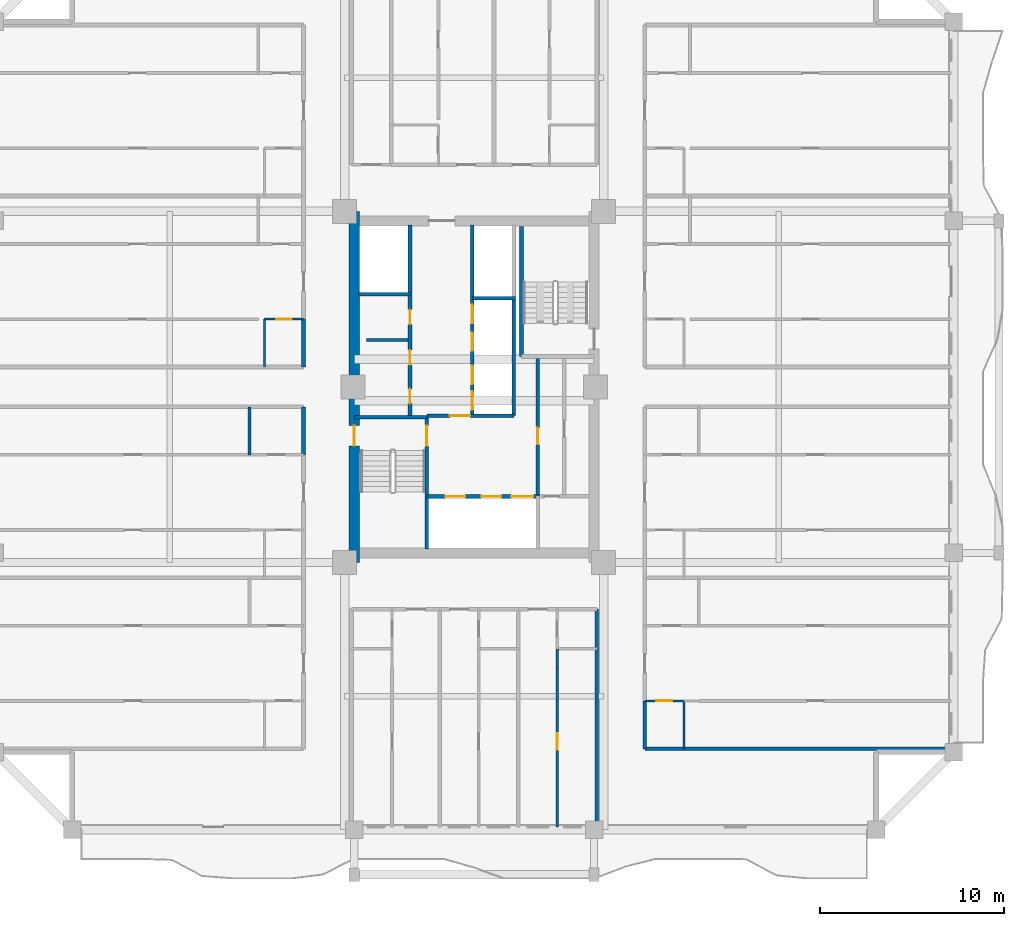
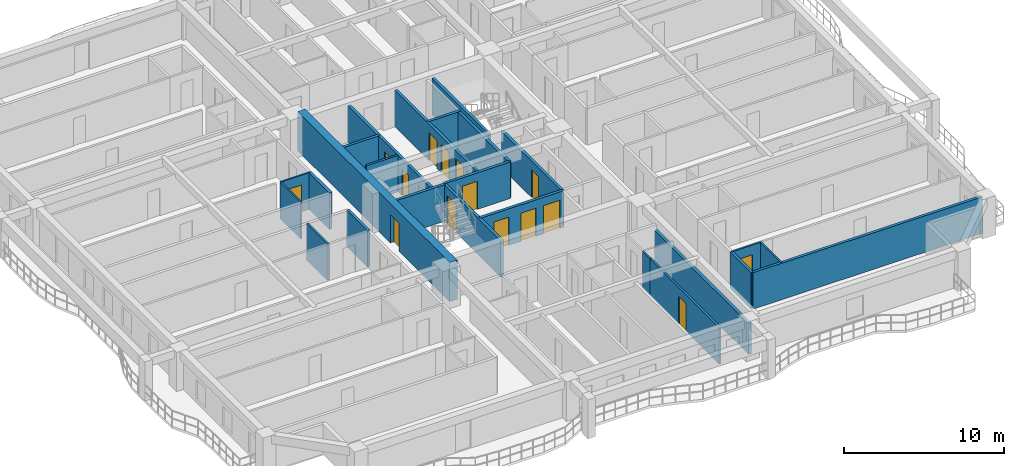
# One storey, part 4 of 13: 25 walls, 17 doors, 17 openings.
"""IFC4 building model written with IfcOpenShell, lengths in metres."""

from ifc_helpers import new_model, si_unit, direction, frame, frame_2d, origin, place, context, subcontext, project, spatial, rectangle, extrude, source, transform, mapped, material, layer, layer_set, type_object, element, fill, save


model = new_model("IFC4")

# Units and contexts
model_context = context("Model", 3, precision=1e-05, world=origin(), true_north=direction((0.0, 1.0)))
body_context = subcontext(model_context, "Body", "Model", "MODEL_VIEW")
ifc_project = project(units=[si_unit("LENGTHUNIT", "METRE"), si_unit("AREAUNIT", "SQUARE_METRE"), si_unit("VOLUMEUNIT", "CUBIC_METRE"), si_unit("PLANEANGLEUNIT", "RADIAN"), si_unit("MASSUNIT", "GRAM", prefix="KILO")], contexts=[model_context])

# Site, building, storey
site_placement = place(None, origin())
site = spatial("IfcSite", under=ifc_project, at=site_placement, CompositionType="ELEMENT")
building_placement = place(site_placement, origin())
building = spatial("IfcBuilding", under=site, at=building_placement, Name="Saelheon Loggia Tower", CompositionType="ELEMENT")
storey_placement = place(building_placement, frame((0.0, 0.0, 104.85009765625)))
storey = spatial("IfcBuildingStorey", under=building, at=storey_placement, Name="L33", CompositionType="ELEMENT", Elevation=104.85009765625)

# Wall, opening, door
ifc_material_1 = material(Name="Concrete C50/60", Category="concrete")
ifc_layer_1 = layer(ifc_material_1, 0.550048828125)
ifc_layer_set_1 = layer_set([ifc_layer_1], Name="Concrete C50/60")
wall_type_1 = type_object("IfcWallType", Name="Wall_CoreShear_550", PredefinedType="SHEAR", material=ifc_layer_set_1)
wall_1_placement = place(storey_placement, frame((31.5, 17.47998046875, 0.0), z_axis=(0.0, 0.0, 1.0), x_axis=(0.0, 1.0, 0.0)))
wall_1 = element("IfcWall", 1, at=wall_1_placement, inside=storey, type_object=wall_type_1, Name="L33 Core Shear Wall West", PredefinedType="SHEAR", context=body_context, shape_type="SweptSolid", body=[
    extrude(rectangle(XDim=19.0400390625, YDim=0.550048828125, at=frame_2d((9.52001953125, 0.0))), origin(), (0.0, 0.0, 1.0), 3.0),
])
opening_1_placement = place(wall_1_placement, frame((6.320068359375, 0.0, 0.0)))
opening_1 = element("IfcOpeningElement", 2, at=opening_1_placement, cuts=wall_1, Name="Opening D-FD2", PredefinedType="OPENING", context=body_context, shape_type="SweptSolid", body=[
    extrude(rectangle(XDim=1.10009765625, YDim=2.14990234375, at=frame_2d((0.550048828125, 1.074951171875))), frame((0.0, 0.287109375, 0.0), z_axis=(0.0, -1.0, 0.0), x_axis=(1.0, 0.0, 0.0)), (0.0, 0.0, 1.0), 0.573974609375),
])
ifc_material_2 = material(Name="Galvanised Steel Fire Door", Category="steel")
door_type_1 = type_object("IfcDoorType", Name="Door_Fire_FD60_1100", OperationType="NOTDEFINED", PredefinedType="DOOR", material=ifc_material_2)
shared_shape_1 = source(origin(), body_context, "Body", "SweptSolid", [
    extrude(rectangle(XDim=1.10009765625, YDim=2.14990234375, at=frame_2d((0.550048828125, 1.074951171875))), frame((0.0, 0.02490234375, 0.0), z_axis=(0.0, -1.0, 0.0), x_axis=(1.0, 0.0, 0.0)), (0.0, 0.0, 1.0), 0.050048828125),
])
door_1_placement = place(opening_1_placement, origin())
door_1 = element("IfcDoor", 3, at=door_1_placement, inside=storey, type_object=door_type_1, Name="L33 Stair ST1 Corridor Door", OperationType="SINGLE_SWING_LEFT", OverallHeight=2.14990234375, OverallWidth=1.10009765625, PredefinedType="DOOR", context=body_context, shape_type="MappedRepresentation", body=[
    mapped(shared_shape_1, transform((0.0, 0.0, 0.0), scale=1.0)),
])
fill(opening_1, door_1)

# Wall
ifc_material_3 = material(Name="Lightweight Autoclaved Aerated Concrete Block and Acoustic Gypsum", Category="concrete")
ifc_layer_2 = layer(ifc_material_3, 0.14990234375)
ifc_layer_set_2 = layer_set([ifc_layer_2], Name="Lightweight Autoclaved Aerated Concrete Block and Acoustic Gypsum")
wall_type_2 = type_object("IfcWallType", Name="Wall_Part_150", PredefinedType="PARTITIONING", material=ifc_layer_set_2)
wall_2_placement = place(storey_placement, frame((32.14990234375, 29.550048828125, 0.0), z_axis=(0.0, 0.0, 1.0), x_axis=(1.0, 0.0, 0.0)))
element("IfcWall", 4, at=wall_2_placement, inside=storey, type_object=wall_type_2, Name="L33 Freed Core Partition PL1", PredefinedType="PARTITIONING", context=body_context, shape_type="SweptSolid", body=[
    extrude(rectangle(XDim=2.27001953125, YDim=0.14990234375, at=frame_2d((1.135009765625, 0.0))), origin(), (0.0, 0.0, 1.0), 2.789794921875),
])

# Wall, opening, door
wall_3_placement = place(storey_placement, frame((42.5, 11.780029296875, 0.0), z_axis=(0.0, 0.0, 1.0), x_axis=(0.0, -1.0, 0.0)))
wall_3 = element("IfcWall", 5, at=wall_3_placement, inside=storey, type_object=wall_type_2, Name="L33 S Partition U22", PredefinedType="PARTITIONING", context=body_context, shape_type="SweptSolid", body=[
    extrude(rectangle(XDim=8.630126953125, YDim=0.14990234375, at=frame_2d((4.31494140625, 0.0))), origin(), (0.0, 0.0, 1.0), 2.789794921875),
])
opening_2_placement = place(wall_3_placement, frame((3.56298828125, 0.0, 0.0)))
opening_2 = element("IfcOpeningElement", 6, at=opening_2_placement, cuts=wall_3, Name="Opening D-IN2", PredefinedType="OPENING", context=body_context, shape_type="SweptSolid", body=[
    extrude(rectangle(XDim=0.89990234375, YDim=2.10009765625, at=frame_2d((0.449951171875, 1.050048828125))), frame((0.0, 0.0869140625, 0.0), z_axis=(0.0, -1.0, 0.0), x_axis=(1.0, 0.0, 0.0)), (0.0, 0.0, 1.0), 0.173828125),
])
ifc_material_4 = material(Name="Engineered Oak Flush Door", Category="timber")
door_type_2 = type_object("IfcDoorType", Name="Door_Int_900", OperationType="NOTDEFINED", PredefinedType="DOOR", material=ifc_material_4)
shared_shape_2 = source(origin(), body_context, "Body", "SweptSolid", [
    extrude(rectangle(XDim=0.89990234375, YDim=2.10009765625, at=frame_2d((0.449951171875, 1.050048828125))), frame((0.0, 0.02490234375, 0.0), z_axis=(0.0, -1.0, 0.0), x_axis=(1.0, 0.0, 0.0)), (0.0, 0.0, 1.0), 0.050048828125),
])
door_2_placement = place(opening_2_placement, origin())
door_2 = element("IfcDoor", 7, at=door_2_placement, inside=storey, type_object=door_type_2, Name="Unit U03 Kitchen Door", OperationType="SINGLE_SWING_RIGHT", OverallHeight=2.10009765625, OverallWidth=0.89990234375, PredefinedType="DOOR", context=body_context, shape_type="MappedRepresentation", body=[
    mapped(shared_shape_2, transform((0.0, 0.0, 0.0), scale=1.0)),
])
fill(opening_2, door_2)

# Walls
wall_4_placement = place(storey_placement, frame((25.820068359375, 23.320068359375, 0.0), z_axis=(0.0, 0.0, 1.0), x_axis=(0.0, 1.0, 0.0)))
element("IfcWall", 8, at=wall_4_placement, inside=storey, type_object=wall_type_2, Name="L33 WS Partition V18", PredefinedType="PARTITIONING", context=body_context, shape_type="SweptSolid", body=[
    extrude(rectangle(XDim=2.599853515625, YDim=0.14990234375, at=frame_2d((1.2998046875, 0.0))), origin(), (0.0, 0.0, 1.0), 2.789794921875),
])
ifc_material_5 = material(Name="Double Acoustic Stud and Fireboard Partition", Category="gypsum")
ifc_layer_3 = layer(ifc_material_5, 0.199951171875)
ifc_layer_set_3 = layer_set([ifc_layer_3], Name="Double Acoustic Stud and Fireboard Partition")
wall_type_3 = type_object("IfcWallType", Name="Wall_Party_200", PredefinedType="PARTITIONING", material=ifc_layer_set_3)
wall_5_placement = place(storey_placement, frame((44.64990234375, 14.949951171875, 0.0), z_axis=(0.0, 0.0, 1.0), x_axis=(0.0, -1.0, 0.0)))
element("IfcWall", 9, at=wall_5_placement, inside=storey, type_object=wall_type_3, Name="L33 S Partition U02", PredefinedType="PARTITIONING", context=body_context, shape_type="SweptSolid", body=[
    extrude(rectangle(XDim=11.800048828125, YDim=0.199951171875, at=frame_2d((5.89990234375, 0.0))), origin(), (0.0, 0.0, 1.0), 2.33984375),
])
wall_6_placement = place(storey_placement, frame((28.75, 23.320068359375, 0.0), z_axis=(0.0, 0.0, 1.0), x_axis=(0.0, 1.0, 0.0)))
element("IfcWall", 10, at=wall_6_placement, inside=storey, type_object=wall_type_3, Name="L33 WS Partition V16", PredefinedType="PARTITIONING", context=body_context, shape_type="SweptSolid", body=[
    extrude(rectangle(XDim=2.599853515625, YDim=0.199951171875, at=frame_2d((1.2998046875, 0.0))), origin(), (0.0, 0.0, 1.0), 2.789794921875),
])
wall_7_placement = place(storey_placement, frame((28.75, 28.080078125, 0.0), z_axis=(0.0, 0.0, 1.0), x_axis=(0.0, 1.0, 0.0)))
element("IfcWall", 11, at=wall_7_placement, inside=storey, type_object=wall_type_3, Name="L33 WN Partition V03", PredefinedType="PARTITIONING", context=body_context, shape_type="SweptSolid", body=[
    extrude(rectangle(XDim=2.595458984375, YDim=0.199951171875, at=frame_2d((1.2978515625, 0.0))), origin(), (0.0, 0.0, 1.0), 2.789794921875),
])
wall_8_placement = place(storey_placement, frame((47.25, 7.3798828125, 0.0), z_axis=(0.0, 0.0, 1.0), x_axis=(1.0, 0.0, 0.0)))
element("IfcWall", 12, at=wall_8_placement, inside=storey, type_object=wall_type_3, Name="L33 ES Partition U01", PredefinedType="PARTITIONING", context=body_context, shape_type="SweptSolid", body=[
    extrude(rectangle(XDim=16.60009765625, YDim=0.199951171875, at=frame_2d((8.300048828125, 0.0))), origin(), (0.0, 0.0, 1.0), 2.789794921875),
])
wall_9_placement = place(storey_placement, frame((47.25, 7.3798828125, 0.0), z_axis=(0.0, 0.0, 1.0), x_axis=(0.0, 1.0, 0.0)))
element("IfcWall", 13, at=wall_9_placement, inside=storey, type_object=wall_type_3, Name="L33 ES Partition V03", PredefinedType="PARTITIONING", context=body_context, shape_type="SweptSolid", body=[
    extrude(rectangle(XDim=2.595703125, YDim=0.199951171875, at=frame_2d((1.2978515625, 0.0))), origin(), (0.0, 0.0, 1.0), 2.789794921875),
])

# Wall, opening, door
ifc_material_6 = material(Name="Concrete C40/50", Category="concrete")
ifc_layer_4 = layer(ifc_material_6, 0.199951171875)
ifc_layer_set_4 = layer_set([ifc_layer_4], Name="Concrete C40/50")
wall_type_4 = type_object("IfcWallType", Name="Wall_Shaft_200", PredefinedType="PARTITIONING", material=ifc_layer_set_4)
wall_10_placement = place(storey_placement, frame((41.449951171875, 21.080078125, 0.0), z_axis=(0.0, 0.0, 1.0), x_axis=(0.0, 1.0, 0.0)))
wall_10 = element("IfcWall", 14, at=wall_10_placement, inside=storey, type_object=wall_type_4, Name="CW-INT-L33-BOH-W1", PredefinedType="PARTITIONING", context=body_context, shape_type="SweptSolid", body=[
    extrude(rectangle(XDim=7.52001953125, YDim=0.199951171875, at=frame_2d((3.760009765625, 0.0))), origin(), (0.0, 0.0, 1.0), 2.789794921875),
])
opening_3_placement = place(wall_10_placement, frame((2.800048828125, 0.0, 0.0)))
opening_3 = element("IfcOpeningElement", 15, at=opening_3_placement, cuts=wall_10, Name="Opening D-RS1", PredefinedType="OPENING", context=body_context, shape_type="SweptSolid", body=[
    extrude(rectangle(XDim=0.89990234375, YDim=2.10009765625, at=frame_2d((0.449951171875, 1.050048828125))), frame((0.0, 0.112060546875, 0.0), z_axis=(0.0, -1.0, 0.0), x_axis=(1.0, 0.0, 0.0)), (0.0, 0.0, 1.0), 0.223876953125),
])
ifc_material_7 = material(Name="Galvanised Steel Riser Access Door", Category="steel")
door_type_3 = type_object("IfcDoorType", Name="Door_Riser_FD60", OperationType="NOTDEFINED", PredefinedType="DOOR", material=ifc_material_7)
door_3_placement = place(opening_3_placement, origin())
door_3 = element("IfcDoor", 16, at=door_3_placement, inside=storey, type_object=door_type_3, Name="L33 Service Store Door", OperationType="SINGLE_SWING_RIGHT", OverallHeight=2.10009765625, OverallWidth=0.89990234375, PredefinedType="DOOR", context=body_context, shape_type="MappedRepresentation", body=[
    mapped(shared_shape_2, transform((0.0, 0.0, 0.0), scale=1.0)),
])
fill(opening_3, door_3)

# Wall
wall_11_placement = place(storey_placement, frame((40.14990234375, 25.43994140625, 0.0), z_axis=(0.0, 0.0, 1.0), x_axis=(0.0, 1.0, 0.0)))
element("IfcWall", 17, at=wall_11_placement, inside=storey, type_object=wall_type_4, Name="L33 Core Service Passage West Wall", PredefinedType="PARTITIONING", context=body_context, shape_type="SweptSolid", body=[
    extrude(rectangle(XDim=6.360107421875, YDim=0.199951171875, at=frame_2d((3.18017578125, 0.0))), origin(), (0.0, 0.0, 1.0), 2.789794921875),
])

# Wall, openings, doors
wall_12_placement = place(storey_placement, frame((35.429931640625, 21.06005859375, 0.0), z_axis=(0.0, 0.0, 1.0), x_axis=(1.0, 0.0, 0.0)))
wall_12 = element("IfcWall", 18, at=wall_12_placement, inside=storey, type_object=wall_type_4, Name="L33 Firefighting Lift Shaft Front Wall", PredefinedType="PARTITIONING", context=body_context, shape_type="SweptSolid", body=[
    extrude(rectangle(XDim=6.02001953125, YDim=0.199951171875, at=frame_2d((3.010009765625, 0.0))), origin(), (0.0, 0.0, 1.0), 2.789794921875),
])
opening_4_placement = place(wall_12_placement, frame((1.0, 0.0, 0.0)))
opening_4 = element("IfcOpeningElement", 19, at=opening_4_placement, cuts=wall_12, Name="Opening LD2", PredefinedType="OPENING", context=body_context, shape_type="SweptSolid", body=[
    extrude(rectangle(XDim=1.10009765625, YDim=2.14990234375, at=frame_2d((0.550048828125, 1.074951171875))), frame((0.0, 0.112060546875, 0.0), z_axis=(0.0, -1.0, 0.0), x_axis=(1.0, 0.0, 0.0)), (0.0, 0.0, 1.0), 0.223876953125),
])
opening_5_placement = place(wall_12_placement, frame((2.949951171875, 0.0, 0.0)))
opening_5 = element("IfcOpeningElement", 20, at=opening_5_placement, cuts=wall_12, Name="Opening LD2", PredefinedType="OPENING", context=body_context, shape_type="SweptSolid", body=[
    extrude(rectangle(XDim=1.10009765625, YDim=2.14990234375, at=frame_2d((0.550048828125, 1.074951171875))), frame((0.0, 0.112060546875, 0.0), z_axis=(0.0, -1.0, 0.0), x_axis=(1.0, 0.0, 0.0)), (0.0, 0.0, 1.0), 0.223876953125),
])
opening_6_placement = place(wall_12_placement, frame((4.580078125, 0.0, 0.0)))
opening_6 = element("IfcOpeningElement", 21, at=opening_6_placement, cuts=wall_12, Name="Opening LD3", PredefinedType="OPENING", context=body_context, shape_type="SweptSolid", body=[
    extrude(rectangle(XDim=1.199951171875, YDim=2.14990234375, at=frame_2d((0.60009765625, 1.074951171875))), frame((0.0, 0.112060546875, 0.0), z_axis=(0.0, -1.0, 0.0), x_axis=(1.0, 0.0, 0.0)), (0.0, 0.0, 1.0), 0.223876953125),
])
ifc_material_8 = material(Name="Firefighting Stainless Steel 316 Landing Door", Category="steel")
door_type_4 = type_object("IfcDoorType", Name="Door_Lift_LD2", OperationType="DOUBLE_DOOR_SLIDING", PredefinedType="DOOR", material=ifc_material_8)
door_4_placement = place(opening_4_placement, origin())
door_4 = element("IfcDoor", 22, at=door_4_placement, inside=storey, type_object=door_type_4, Name="L33 FF1 Landing Door", OperationType="DOUBLE_DOOR_SLIDING", OverallHeight=2.14990234375, OverallWidth=1.10009765625, PredefinedType="DOOR", context=body_context, shape_type="MappedRepresentation", body=[
    mapped(shared_shape_1, transform((0.0, 0.0, 0.0), scale=1.0)),
])
fill(opening_4, door_4)
door_5_placement = place(opening_5_placement, origin())
door_5 = element("IfcDoor", 23, at=door_5_placement, inside=storey, type_object=door_type_4, Name="L33 FF2 Landing Door", OperationType="DOUBLE_DOOR_SLIDING", OverallHeight=2.14990234375, OverallWidth=1.10009765625, PredefinedType="DOOR", context=body_context, shape_type="MappedRepresentation", body=[
    mapped(shared_shape_1, transform((0.0, 0.0, 0.0), scale=1.0)),
])
fill(opening_5, door_5)
ifc_material_9 = material(Name="Stretcher Lift Stainless Steel 304 Landing Door", Category="steel")
door_type_5 = type_object("IfcDoorType", Name="Door_Lift_LD3", OperationType="DOUBLE_DOOR_SLIDING", PredefinedType="DOOR", material=ifc_material_9)
shared_shape_3 = source(origin(), body_context, "Body", "SweptSolid", [
    extrude(rectangle(XDim=1.199951171875, YDim=2.14990234375, at=frame_2d((0.60009765625, 1.074951171875))), frame((0.0, 0.02490234375, 0.0), z_axis=(0.0, -1.0, 0.0), x_axis=(1.0, 0.0, 0.0)), (0.0, 0.0, 1.0), 0.050048828125),
])
door_6_placement = place(opening_6_placement, origin())
door_6 = element("IfcDoor", 24, at=door_6_placement, inside=storey, type_object=door_type_5, Name="L33 SV1 Landing Door", OperationType="DOUBLE_DOOR_SLIDING", OverallHeight=2.14990234375, OverallWidth=1.199951171875, PredefinedType="DOOR", context=body_context, shape_type="MappedRepresentation", body=[
    mapped(shared_shape_3, transform((0.0, 0.0, 0.0), scale=1.0)),
])
fill(opening_6, door_6)

# Wall, opening, door
wall_13_placement = place(storey_placement, frame((35.429931640625, 25.43994140625, 0.0), z_axis=(0.0, 0.0, 1.0), x_axis=(1.0, 0.0, 0.0)))
wall_13 = element("IfcWall", 25, at=wall_13_placement, inside=storey, type_object=wall_type_4, Name="L33 Firefighting Lobby Compartment Wall", PredefinedType="PARTITIONING", context=body_context, shape_type="SweptSolid", body=[
    extrude(rectangle(XDim=4.719970703125, YDim=0.199951171875, at=frame_2d((2.35986328125, 0.0))), origin(), (0.0, 0.0, 1.0), 2.789794921875),
])
opening_7_placement = place(wall_13_placement, frame((1.25, 0.0, 0.0)))
opening_7 = element("IfcOpeningElement", 26, at=opening_7_placement, cuts=wall_13, Name="Opening D-FD2", PredefinedType="OPENING", context=body_context, shape_type="SweptSolid", body=[
    extrude(rectangle(XDim=1.10009765625, YDim=2.14990234375, at=frame_2d((0.550048828125, 1.074951171875))), frame((0.0, 0.112060546875, 0.0), z_axis=(0.0, -1.0, 0.0), x_axis=(1.0, 0.0, 0.0)), (0.0, 0.0, 1.0), 0.223876953125),
])
door_7_placement = place(opening_7_placement, origin())
door_7 = element("IfcDoor", 27, at=door_7_placement, inside=storey, type_object=door_type_1, Name="L33 Firefighting Lobby Door", OperationType="SINGLE_SWING_LEFT", OverallHeight=2.14990234375, OverallWidth=1.10009765625, PredefinedType="DOOR", context=body_context, shape_type="MappedRepresentation", body=[
    mapped(shared_shape_1, transform((0.0, 0.0, 0.0), scale=1.0)),
])
fill(opening_7, door_7)

# Wall, openings, doors
wall_14_placement = place(storey_placement, frame((34.52001953125, 25.43994140625, 0.0), z_axis=(0.0, 0.0, 1.0), x_axis=(0.0, 1.0, 0.0)))
wall_14 = element("IfcWall", 28, at=wall_14_placement, inside=storey, type_object=wall_type_4, Name="L33 West Passenger Lift Bank Wall", PredefinedType="PARTITIONING", context=body_context, shape_type="SweptSolid", body=[
    extrude(rectangle(XDim=10.340087890625, YDim=0.199951171875, at=frame_2d((5.169921875, 0.0))), origin(), (0.0, 0.0, 1.0), 2.789794921875),
])
opening_8_placement = place(wall_14_placement, frame((0.64990234375, 0.0, 0.0)))
opening_8 = element("IfcOpeningElement", 29, at=opening_8_placement, cuts=wall_14, Name="Opening D-ST1", PredefinedType="OPENING", context=body_context, shape_type="SweptSolid", body=[
    extrude(rectangle(XDim=0.800048828125, YDim=2.050048828125, at=frame_2d((0.39990234375, 1.02490234375))), frame((0.0, 0.112060546875, 0.0), z_axis=(0.0, -1.0, 0.0), x_axis=(1.0, 0.0, 0.0)), (0.0, 0.0, 1.0), 0.223876953125),
])
opening_9_placement = place(wall_14_placement, frame((2.75, 0.0, 0.0)))
opening_9 = element("IfcOpeningElement", 30, at=opening_9_placement, cuts=wall_14, Name="Opening D-ST1", PredefinedType="OPENING", context=body_context, shape_type="SweptSolid", body=[
    extrude(rectangle(XDim=0.800048828125, YDim=2.050048828125, at=frame_2d((0.39990234375, 1.02490234375))), frame((0.0, 0.112060546875, 0.0), z_axis=(0.0, -1.0, 0.0), x_axis=(1.0, 0.0, 0.0)), (0.0, 0.0, 1.0), 0.223876953125),
])
opening_10_placement = place(wall_14_placement, frame((4.949951171875, 0.0, 0.0)))
opening_10 = element("IfcOpeningElement", 31, at=opening_10_placement, cuts=wall_14, Name="Opening D-ST1", PredefinedType="OPENING", context=body_context, shape_type="SweptSolid", body=[
    extrude(rectangle(XDim=0.800048828125, YDim=2.050048828125, at=frame_2d((0.39990234375, 1.02490234375))), frame((0.0, 0.112060546875, 0.0), z_axis=(0.0, -1.0, 0.0), x_axis=(1.0, 0.0, 0.0)), (0.0, 0.0, 1.0), 0.223876953125),
])
ifc_material_10 = material(Name="Powder-Coated Steel Store Door", Category="steel")
door_type_6 = type_object("IfcDoorType", Name="Door_Store_800", OperationType="NOTDEFINED", PredefinedType="DOOR", material=ifc_material_10)
shared_shape_4 = source(origin(), body_context, "Body", "SweptSolid", [
    extrude(rectangle(XDim=0.800048828125, YDim=2.050048828125, at=frame_2d((0.39990234375, 1.02490234375))), frame((0.0, 0.02490234375, 0.0), z_axis=(0.0, -1.0, 0.0), x_axis=(1.0, 0.0, 0.0)), (0.0, 0.0, 1.0), 0.050048828125),
])
door_8_placement = place(opening_8_placement, origin())
door_8 = element("IfcDoor", 32, at=door_8_placement, inside=storey, type_object=door_type_6, Name="L33 Telecom Store Door", OperationType="SINGLE_SWING_LEFT", OverallHeight=2.050048828125, OverallWidth=0.800048828125, PredefinedType="DOOR", context=body_context, shape_type="MappedRepresentation", body=[
    mapped(shared_shape_4, transform((0.0, 0.0, 0.0), scale=1.0)),
])
fill(opening_8, door_8)
door_9_placement = place(opening_9_placement, origin())
door_9 = element("IfcDoor", 33, at=door_9_placement, inside=storey, type_object=door_type_6, Name="L33 Linen Closet Door", OperationType="SINGLE_SWING_RIGHT", OverallHeight=2.050048828125, OverallWidth=0.800048828125, PredefinedType="DOOR", context=body_context, shape_type="MappedRepresentation", body=[
    mapped(shared_shape_4, transform((0.0, 0.0, 0.0), scale=1.0)),
])
fill(opening_9, door_9)
door_10_placement = place(opening_10_placement, origin())
door_10 = element("IfcDoor", 34, at=door_10_placement, inside=storey, type_object=door_type_6, Name="L33 Metering Store Door", OperationType="SINGLE_SWING_LEFT", OverallHeight=2.050048828125, OverallWidth=0.800048828125, PredefinedType="DOOR", context=body_context, shape_type="MappedRepresentation", body=[
    mapped(shared_shape_4, transform((0.0, 0.0, 0.0), scale=1.0)),
])
fill(opening_10, door_10)

# Wall
wall_15_placement = place(storey_placement, frame((31.719970703125, 32.02001953125, 0.0), z_axis=(0.0, 0.0, 1.0), x_axis=(1.0, 0.0, 0.0)))
element("IfcWall", 35, at=wall_15_placement, inside=storey, type_object=wall_type_4, Name="L33 West High-Rise Shaft Divider", PredefinedType="PARTITIONING", context=body_context, shape_type="SweptSolid", body=[
    extrude(rectangle(XDim=2.800048828125, YDim=0.199951171875, at=frame_2d((1.39990234375, 0.0))), origin(), (0.0, 0.0, 1.0), 2.789794921875),
])

# Wall, openings, doors
wall_16_placement = place(storey_placement, frame((37.89990234375, 25.43994140625, 0.0), z_axis=(0.0, 0.0, 1.0), x_axis=(0.0, 1.0, 0.0)))
wall_16 = element("IfcWall", 36, at=wall_16_placement, inside=storey, type_object=wall_type_4, Name="L33 East Passenger Lift Bank Wall", PredefinedType="PARTITIONING", context=body_context, shape_type="SweptSolid", body=[
    extrude(rectangle(XDim=10.340087890625, YDim=0.199951171875, at=frame_2d((5.169921875, 0.0))), origin(), (0.0, 0.0, 1.0), 2.789794921875),
])
opening_11_placement = place(wall_16_placement, frame((0.320068359375, 0.0, 0.0)))
opening_11 = element("IfcOpeningElement", 37, at=opening_11_placement, cuts=wall_16, Name="Opening LD1", PredefinedType="OPENING", context=body_context, shape_type="SweptSolid", body=[
    extrude(rectangle(XDim=1.0, YDim=2.14990234375, at=frame_2d((0.5, 1.074951171875))), frame((0.0, 0.112060546875, 0.0), z_axis=(0.0, -1.0, 0.0), x_axis=(1.0, 0.0, 0.0)), (0.0, 0.0, 1.0), 0.223876953125),
])
opening_12_placement = place(wall_16_placement, frame((1.7099609375, 0.0, 0.0)))
opening_12 = element("IfcOpeningElement", 38, at=opening_12_placement, cuts=wall_16, Name="Opening LD1", PredefinedType="OPENING", context=body_context, shape_type="SweptSolid", body=[
    extrude(rectangle(XDim=1.0, YDim=2.14990234375, at=frame_2d((0.5, 1.074951171875))), frame((0.0, 0.112060546875, 0.0), z_axis=(0.0, -1.0, 0.0), x_axis=(1.0, 0.0, 0.0)), (0.0, 0.0, 1.0), 0.223876953125),
])
opening_13_placement = place(wall_16_placement, frame((3.510009765625, 0.0, 0.0)))
opening_13 = element("IfcOpeningElement", 39, at=opening_13_placement, cuts=wall_16, Name="Opening LD1", PredefinedType="OPENING", context=body_context, shape_type="SweptSolid", body=[
    extrude(rectangle(XDim=1.0, YDim=2.14990234375, at=frame_2d((0.5, 1.074951171875))), frame((0.0, 0.112060546875, 0.0), z_axis=(0.0, -1.0, 0.0), x_axis=(1.0, 0.0, 0.0)), (0.0, 0.0, 1.0), 0.223876953125),
])
opening_14_placement = place(wall_16_placement, frame((5.010009765625, 0.0, 0.0)))
opening_14 = element("IfcOpeningElement", 40, at=opening_14_placement, cuts=wall_16, Name="Opening LD1", PredefinedType="OPENING", context=body_context, shape_type="SweptSolid", body=[
    extrude(rectangle(XDim=1.0, YDim=2.14990234375, at=frame_2d((0.5, 1.074951171875))), frame((0.0, 0.112060546875, 0.0), z_axis=(0.0, -1.0, 0.0), x_axis=(1.0, 0.0, 0.0)), (0.0, 0.0, 1.0), 0.223876953125),
])
ifc_material_11 = material(Name="Brushed Stainless Steel 304 Landing Door", Category="steel")
door_type_7 = type_object("IfcDoorType", Name="Door_Lift_LD1", OperationType="DOUBLE_DOOR_SLIDING", PredefinedType="DOOR", material=ifc_material_11)
shared_shape_5 = source(origin(), body_context, "Body", "SweptSolid", [
    extrude(rectangle(XDim=1.0, YDim=2.14990234375, at=frame_2d((0.5, 1.074951171875))), frame((0.0, 0.02490234375, 0.0), z_axis=(0.0, -1.0, 0.0), x_axis=(1.0, 0.0, 0.0)), (0.0, 0.0, 1.0), 0.050048828125),
])
door_11_placement = place(opening_11_placement, origin())
door_11 = element("IfcDoor", 41, at=door_11_placement, inside=storey, type_object=door_type_7, Name="L33 PM1 Landing Door", OperationType="DOUBLE_DOOR_SLIDING", OverallHeight=2.14990234375, OverallWidth=1.0, PredefinedType="DOOR", context=body_context, shape_type="MappedRepresentation", body=[
    mapped(shared_shape_5, transform((0.0, 0.0, 0.0), scale=1.0)),
])
fill(opening_11, door_11)
door_12_placement = place(opening_12_placement, origin())
door_12 = element("IfcDoor", 42, at=door_12_placement, inside=storey, type_object=door_type_7, Name="L33 PM2 Landing Door", OperationType="DOUBLE_DOOR_SLIDING", OverallHeight=2.14990234375, OverallWidth=1.0, PredefinedType="DOOR", context=body_context, shape_type="MappedRepresentation", body=[
    mapped(shared_shape_5, transform((0.0, 0.0, 0.0), scale=1.0)),
])
fill(opening_12, door_12)
door_13_placement = place(opening_13_placement, origin())
door_13 = element("IfcDoor", 43, at=door_13_placement, inside=storey, type_object=door_type_7, Name="L33 PM3 Landing Door", OperationType="DOUBLE_DOOR_SLIDING", OverallHeight=2.14990234375, OverallWidth=1.0, PredefinedType="DOOR", context=body_context, shape_type="MappedRepresentation", body=[
    mapped(shared_shape_5, transform((0.0, 0.0, 0.0), scale=1.0)),
])
fill(opening_13, door_13)
door_14_placement = place(opening_14_placement, origin())
door_14 = element("IfcDoor", 44, at=door_14_placement, inside=storey, type_object=door_type_7, Name="L33 PM4 Landing Door", OperationType="DOUBLE_DOOR_SLIDING", OverallHeight=2.14990234375, OverallWidth=1.0, PredefinedType="DOOR", context=body_context, shape_type="MappedRepresentation", body=[
    mapped(shared_shape_5, transform((0.0, 0.0, 0.0), scale=1.0)),
])
fill(opening_14, door_14)

# Wall
wall_17_placement = place(storey_placement, frame((37.89990234375, 31.800048828125, 0.0), z_axis=(0.0, 0.0, 1.0), x_axis=(1.0, 0.0, 0.0)))
element("IfcWall", 45, at=wall_17_placement, inside=storey, type_object=wall_type_4, Name="L33 East High-Rise Shaft Divider", PredefinedType="PARTITIONING", context=body_context, shape_type="SweptSolid", body=[
    extrude(rectangle(XDim=2.35009765625, YDim=0.199951171875, at=frame_2d((1.175048828125, 0.0))), origin(), (0.0, 0.0, 1.0), 2.789794921875),
])

# Wall, opening, door
ifc_material_12 = material(Name="Concrete C45/55", Category="concrete")
ifc_layer_5 = layer(ifc_material_12, 0.199951171875)
ifc_layer_set_5 = layer_set([ifc_layer_5], Name="Concrete C45/55")
wall_type_5 = type_object("IfcWallType", Name="Wall_StairShaft_RC200", PredefinedType="SOLIDWALL", material=ifc_layer_set_5)
wall_18_placement = place(storey_placement, frame((35.429931640625, 18.219970703125, 0.0), z_axis=(0.0, 0.0, 1.0), x_axis=(0.0, 1.0, 0.0)))
wall_18 = element("IfcWall", 46, at=wall_18_placement, inside=storey, type_object=wall_type_5, Name="L33 Stair ST1 Shaft Wall", PredefinedType="SOLIDWALL", context=body_context, shape_type="SweptSolid", body=[
    extrude(rectangle(XDim=7.219970703125, YDim=0.199951171875, at=frame_2d((3.60986328125, 0.0))), origin(), (0.0, 0.0, 1.0), 2.789794921875),
])
opening_15_placement = place(wall_18_placement, frame((6.68017578125, 0.0, 0.0), z_axis=(0.0, 0.0, 1.0), x_axis=(-1.0, 0.0, 0.0)))
opening_15 = element("IfcOpeningElement", 47, at=opening_15_placement, cuts=wall_18, Name="Opening D-FD2", PredefinedType="OPENING", context=body_context, shape_type="SweptSolid", body=[
    extrude(rectangle(XDim=1.10009765625, YDim=2.14990234375, at=frame_2d((0.550048828125, 1.074951171875))), frame((0.0, 0.112060546875, 0.0), z_axis=(0.0, -1.0, 0.0), x_axis=(1.0, 0.0, 0.0)), (0.0, 0.0, 1.0), 0.223876953125),
])
door_15_placement = place(opening_15_placement, origin())
door_15 = element("IfcDoor", 48, at=door_15_placement, inside=storey, type_object=door_type_1, Name="L33 Stair ST1 Lobby Door", OperationType="SINGLE_SWING_RIGHT", OverallHeight=2.14990234375, OverallWidth=1.10009765625, PredefinedType="DOOR", context=body_context, shape_type="MappedRepresentation", body=[
    mapped(shared_shape_1, transform((0.0, 0.0, 0.0), scale=1.0)),
])
fill(opening_15, door_15)

# Walls
wall_19_placement = place(storey_placement, frame((31.5, 25.35009765625, 0.0), z_axis=(0.0, 0.0, 1.0), x_axis=(1.0, 0.0, 0.0)))
element("IfcWall", 49, at=wall_19_placement, inside=storey, type_object=wall_type_5, Name="L33 Stair ST1 North Wall", PredefinedType="SOLIDWALL", context=body_context, shape_type="SweptSolid", body=[
    extrude(rectangle(XDim=3.929931640625, YDim=0.199951171875, at=frame_2d((1.96484375, 0.0))), origin(), (0.0, 0.0, 1.0), 2.789794921875),
])
wall_20_placement = place(storey_placement, frame((40.570068359375, 28.64990234375, 0.0), z_axis=(0.0, 0.0, 1.0), x_axis=(0.0, 1.0, 0.0)))
element("IfcWall", 50, at=wall_20_placement, inside=storey, type_object=wall_type_5, Name="L33 Stair ST2 Shaft Wall", PredefinedType="SOLIDWALL", context=body_context, shape_type="SweptSolid", body=[
    extrude(rectangle(XDim=7.050048828125, YDim=0.199951171875, at=frame_2d((3.52490234375, 0.0))), origin(), (0.0, 0.0, 1.0), 2.789794921875),
])
ifc_material_13 = material(Name="Moisture-Resistant Cement Board Partition", Category="gypsum")
ifc_layer_6 = layer(ifc_material_13, 0.1201171875)
ifc_layer_set_6 = layer_set([ifc_layer_6], Name="Moisture-Resistant Cement Board Partition")
wall_type_6 = type_object("IfcWallType", Name="Wall_WetPart_120", PredefinedType="PARTITIONING", material=ifc_layer_set_6)
wall_21_placement = place(storey_placement, frame((42.5, 12.800048828125, 0.0), z_axis=(0.0, 0.0, 1.0), x_axis=(0.0, -1.0, 0.0)))
element("IfcWall", 51, at=wall_21_placement, inside=storey, type_object=wall_type_6, Name="L33 S Partition U20", PredefinedType="PARTITIONING", context=body_context, shape_type="SweptSolid", body=[
    extrude(rectangle(XDim=1.02001953125, YDim=0.1201171875, at=frame_2d((0.510009765625, 0.0))), origin(), (0.0, 0.0, 1.0), 2.789794921875),
])
wall_22_placement = place(storey_placement, frame((26.6298828125, 28.080078125, 0.0), z_axis=(0.0, 0.0, 1.0), x_axis=(0.0, 1.0, 0.0)))
element("IfcWall", 52, at=wall_22_placement, inside=storey, type_object=wall_type_6, Name="L33 WN Partition V06", PredefinedType="PARTITIONING", context=body_context, shape_type="SweptSolid", body=[
    extrude(rectangle(XDim=2.595458984375, YDim=0.1201171875, at=frame_2d((1.2978515625, 0.0))), origin(), (0.0, 0.0, 1.0), 2.789794921875),
])

# Wall, opening, door
wall_23_placement = place(storey_placement, frame((28.75, 30.675537109375, 0.0), z_axis=(0.0, 0.0, 1.0), x_axis=(-1.0, 0.0, 0.0)))
wall_23 = element("IfcWall", 53, at=wall_23_placement, inside=storey, type_object=wall_type_6, Name="L33 WN Partition U08", PredefinedType="PARTITIONING", context=body_context, shape_type="SweptSolid", body=[
    extrude(rectangle(XDim=2.1201171875, YDim=0.1201171875, at=frame_2d((1.06005859375, 0.0))), origin(), (0.0, 0.0, 1.0), 2.789794921875),
])
opening_16_placement = place(wall_23_placement, frame((0.635009765625, 0.0, 0.0)))
opening_16 = element("IfcOpeningElement", 54, at=opening_16_placement, cuts=wall_23, Name="Opening D-BT1", PredefinedType="OPENING", context=body_context, shape_type="SweptSolid", body=[
    extrude(rectangle(XDim=0.85009765625, YDim=2.050048828125, at=frame_2d((0.425048828125, 1.02490234375))), frame((0.0, 0.072021484375, 0.0), z_axis=(0.0, -1.0, 0.0), x_axis=(1.0, 0.0, 0.0)), (0.0, 0.0, 1.0), 0.14404296875),
])
ifc_material_14 = material(Name="Moisture-Resistant Laminate Timber Door", Category="wood")
door_type_8 = type_object("IfcDoorType", Name="Door_Bath_850", OperationType="NOTDEFINED", PredefinedType="DOOR", material=ifc_material_14)
shared_shape_6 = source(origin(), body_context, "Body", "SweptSolid", [
    extrude(rectangle(XDim=0.85009765625, YDim=2.050048828125, at=frame_2d((0.425048828125, 1.02490234375))), frame((0.0, 0.02490234375, 0.0), z_axis=(0.0, -1.0, 0.0), x_axis=(1.0, 0.0, 0.0)), (0.0, 0.0, 1.0), 0.050048828125),
])
door_16_placement = place(opening_16_placement, origin())
door_16 = element("IfcDoor", 55, at=door_16_placement, inside=storey, type_object=door_type_8, Name="Unit U08 Bathroom Door", OperationType="SINGLE_SWING_LEFT", OverallHeight=2.050048828125, OverallWidth=0.85009765625, PredefinedType="DOOR", context=body_context, shape_type="MappedRepresentation", body=[
    mapped(shared_shape_6, transform((0.0, 0.0, 0.0), scale=1.0)),
])
fill(opening_16, door_16)

# Wall
wall_24_placement = place(storey_placement, frame((49.3701171875, 7.3798828125, 0.0), z_axis=(0.0, 0.0, 1.0), x_axis=(0.0, 1.0, 0.0)))
element("IfcWall", 56, at=wall_24_placement, inside=storey, type_object=wall_type_6, Name="L33 ES Partition V06", PredefinedType="PARTITIONING", context=body_context, shape_type="SweptSolid", body=[
    extrude(rectangle(XDim=2.595703125, YDim=0.1201171875, at=frame_2d((1.2978515625, 0.0))), origin(), (0.0, 0.0, 1.0), 2.789794921875),
])

# Wall, opening, door
wall_25_placement = place(storey_placement, frame((47.25, 9.9755859375, 0.0), z_axis=(0.0, 0.0, 1.0), x_axis=(1.0, 0.0, 0.0)))
wall_25 = element("IfcWall", 57, at=wall_25_placement, inside=storey, type_object=wall_type_6, Name="L33 ES Partition U08", PredefinedType="PARTITIONING", context=body_context, shape_type="SweptSolid", body=[
    extrude(rectangle(XDim=2.1201171875, YDim=0.1201171875, at=frame_2d((1.06005859375, 0.0))), origin(), (0.0, 0.0, 1.0), 2.789794921875),
])
opening_17_placement = place(wall_25_placement, frame((0.635009765625, 0.0, 0.0)))
opening_17 = element("IfcOpeningElement", 58, at=opening_17_placement, cuts=wall_25, Name="Opening D-BT1", PredefinedType="OPENING", context=body_context, shape_type="SweptSolid", body=[
    extrude(rectangle(XDim=0.85009765625, YDim=2.050048828125, at=frame_2d((0.425048828125, 1.02490234375))), frame((0.0, 0.072021484375, 0.0), z_axis=(0.0, -1.0, 0.0), x_axis=(1.0, 0.0, 0.0)), (0.0, 0.0, 1.0), 0.14404296875),
])
door_17_placement = place(opening_17_placement, origin())
door_17 = element("IfcDoor", 59, at=door_17_placement, inside=storey, type_object=door_type_8, Name="Unit U10 Bathroom Door", OperationType="SINGLE_SWING_LEFT", OverallHeight=2.050048828125, OverallWidth=0.85009765625, PredefinedType="DOOR", context=body_context, shape_type="MappedRepresentation", body=[
    mapped(shared_shape_6, transform((0.0, 0.0, 0.0), scale=1.0)),
])
fill(opening_17, door_17)

save(model, "model.ifc")
